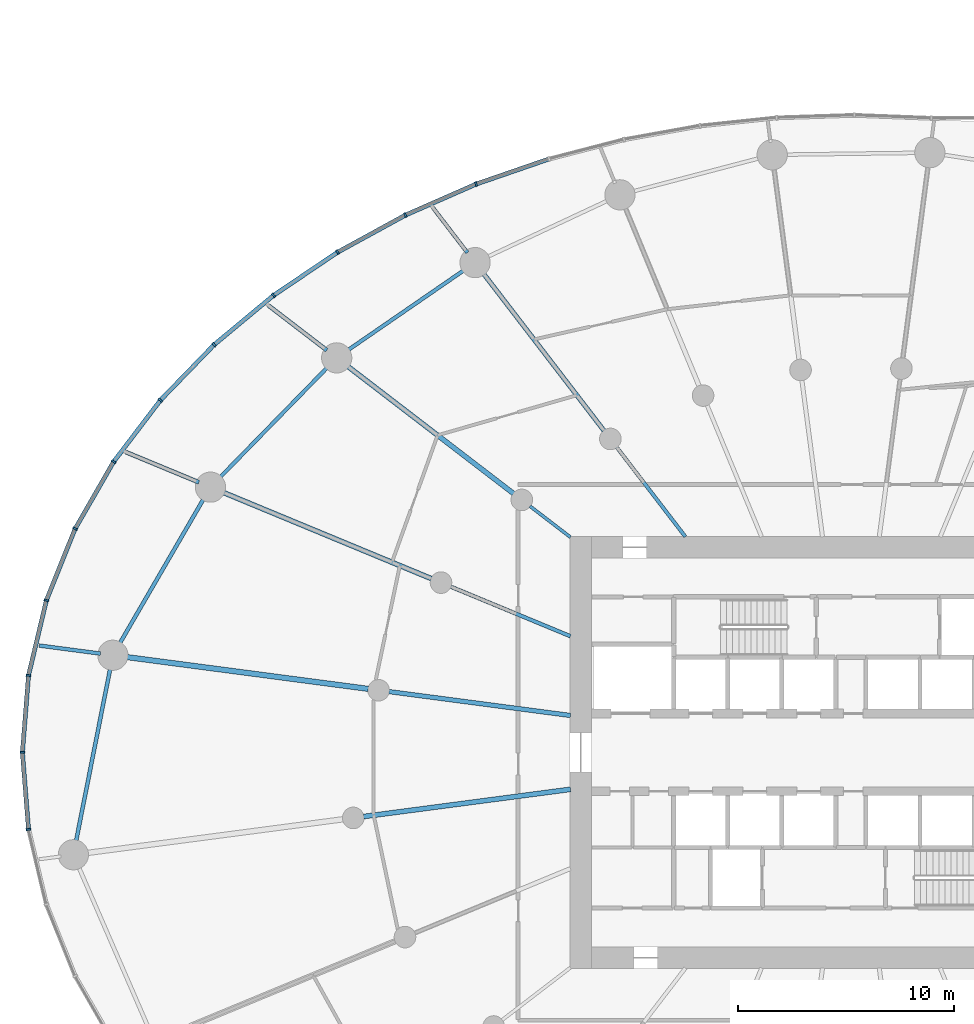
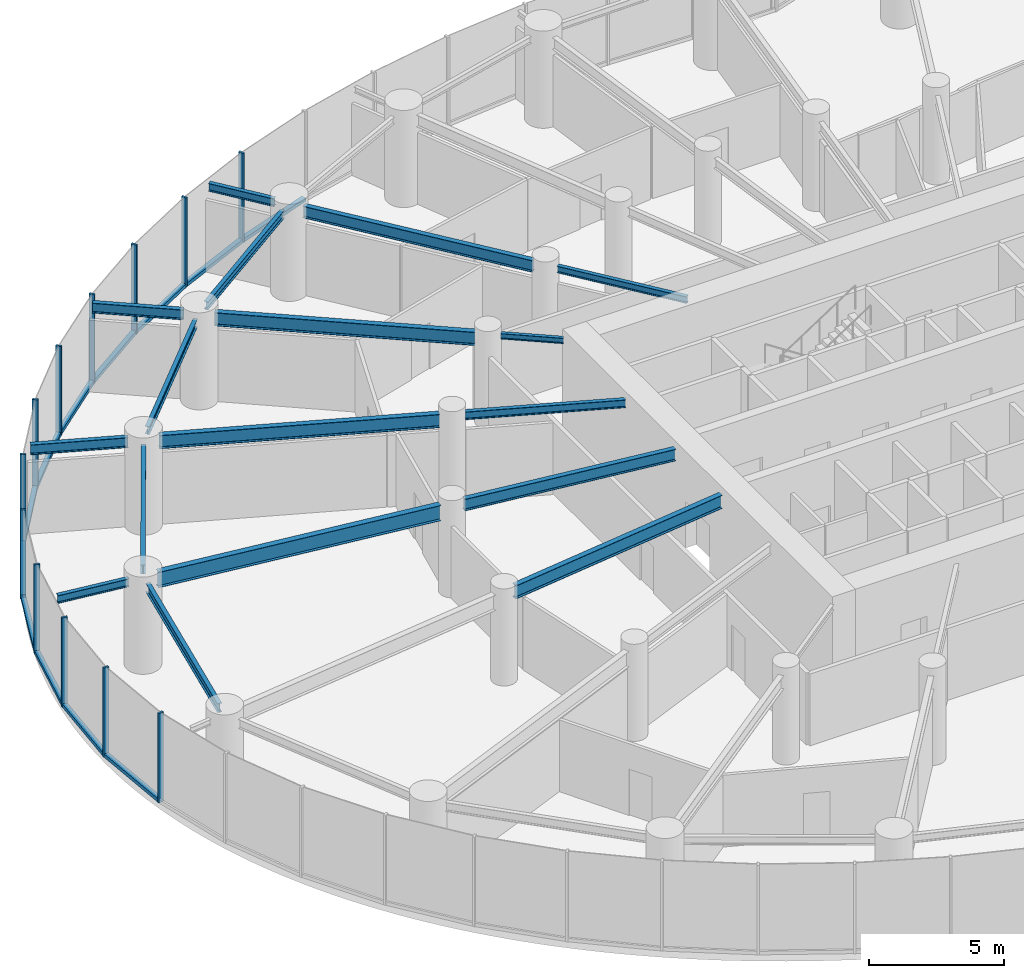
# One storey, part 4 of 24: 24 members, 17 beams, 3 elements without a shape of their own.
"""IFC4 building model written with IfcOpenShell, lengths in metres."""

from ifc_helpers import new_model, si_unit, direction, frame, origin, origin_2d, place, context, subcontext, project, spatial, rectangle, i_section, extrude, source, transform, mapped, material, layer, layer_set, material_profile, profile_set, type_object, element, aggregate, save


model = new_model("IFC4")

# Units and contexts
model_context = context("Model", 3, precision=1e-05, world=origin(), true_north=direction((0.0, 1.0)))
body_context = subcontext(model_context, "Body", "Model", "MODEL_VIEW")
ifc_project = project(units=[si_unit("LENGTHUNIT", "METRE"), si_unit("AREAUNIT", "SQUARE_METRE"), si_unit("VOLUMEUNIT", "CUBIC_METRE"), si_unit("PLANEANGLEUNIT", "RADIAN"), si_unit("MASSUNIT", "GRAM", prefix="KILO")], contexts=[model_context])

# Site, building, storey
site_placement = place(None, origin())
site = spatial("IfcSite", under=ifc_project, at=site_placement, CompositionType="ELEMENT")
building_placement = place(site_placement, origin())
building = spatial("IfcBuilding", under=site, at=building_placement, Name="Spindrift Exchange Tower", CompositionType="ELEMENT")
storey_placement = place(building_placement, frame((0.0, 0.0, 5.0)))
storey = spatial("IfcBuildingStorey", under=building, at=storey_placement, Name="L01", CompositionType="ELEMENT", Elevation=5.0)

# Beams
ifc_material_1 = material(Name="Steel Grade 300", Category="steel")
ifc_material_profile_1 = material_profile(ifc_material_1, i_section(OverallWidth=0.22802734375, OverallDepth=0.60693359375, WebThickness=0.01123046875, FlangeThickness=0.017333984375, FilletRadius=0.013916015625, at=origin_2d()), Name="610UB113")
ifc_profile_set_1 = profile_set([ifc_material_profile_1], Name="Steel Grade 300")
beam_type_1 = type_object("IfcBeamType", Name="Floor Beam 610UB113 Steel Grade 300", PredefinedType="BEAM", material=ifc_profile_set_1)
shared_shape_1 = source(origin(), body_context, "Body", "SweptSolid", [
    extrude(i_section(OverallWidth=0.22802734375, OverallDepth=0.60693359375, WebThickness=0.01123046875, FlangeThickness=0.017333984375, FilletRadius=0.013916015625, at=origin_2d()), origin(), (0.0, 0.0, 1.0), 9.660400390625),
])
beam_1_placement = place(storey_placement, frame((39.019775390625, 46.291015625, 3.74658203125), z_axis=(-0.99144767089, -0.130504850054, 0.0), x_axis=(0.130504850054, -0.99144767089, 0.0)))
element("IfcBeam", 1, at=beam_1_placement, inside=storey, type_object=beam_type_1, Name="L01 radial beam R13A", PredefinedType="BEAM", context=body_context, shape_type="MappedRepresentation", body=[
    mapped(shared_shape_1, transform((0.0, 0.0, 0.0), scale=1.0)),
])
ifc_material_profile_2 = material_profile(ifc_material_1, i_section(OverallWidth=0.1650390625, OverallDepth=0.303955078125, WebThickness=0.006103515625, FlangeThickness=0.01025390625, FilletRadius=0.011474609375, at=origin_2d()), Name="310UB40.4")
ifc_profile_set_2 = profile_set([ifc_material_profile_2], Name="Steel Grade 300")
beam_type_2 = type_object("IfcBeamType", Name="Floor Beam 310UB40.4 Steel Grade 300", PredefinedType="BEAM", material=ifc_profile_set_2)
shared_shape_2 = source(origin(), body_context, "Body", "SweptSolid", [
    extrude(i_section(OverallWidth=0.1650390625, OverallDepth=0.303955078125, WebThickness=0.006103515625, FlangeThickness=0.01025390625, FilletRadius=0.011474609375, at=origin_2d()), origin(), (0.0, 0.0, 1.0), 5.224609375),
])
beam_2_placement = place(storey_placement, frame((44.3388671875, 57.984130859375, 3.89794921875), z_axis=(-0.608741499316, 0.793368632485, 0.0), x_axis=(-0.793368632485, -0.608741499316, 0.0)))
element("IfcBeam", 2, at=beam_2_placement, inside=storey, type_object=beam_type_2, Name="L01 radial beam R09A", PredefinedType="BEAM", context=body_context, shape_type="MappedRepresentation", body=[
    mapped(shared_shape_2, transform((0.0, 0.0, 0.0), scale=1.0)),
])
ifc_material_profile_3 = material_profile(ifc_material_1, i_section(OverallWidth=0.208984375, OverallDepth=0.532958984375, WebThickness=0.01025390625, FlangeThickness=0.015625, FilletRadius=0.013916015625, at=origin_2d()), Name="530UB92.4")
ifc_profile_set_3 = profile_set([ifc_material_profile_3], Name="Steel Grade 300")
beam_type_3 = type_object("IfcBeamType", Name="Floor Beam 530UB92.4 Steel Grade 300", PredefinedType="BEAM", material=ifc_profile_set_3)
shared_shape_3 = source(origin(), body_context, "Body", "SweptSolid", [
    extrude(i_section(OverallWidth=0.208984375, OverallDepth=0.532958984375, WebThickness=0.01025390625, FlangeThickness=0.015625, FilletRadius=0.013916015625, at=origin_2d()), origin(), (0.0, 0.0, 1.0), 9.227783203125),
])
beam_3_placement = place(storey_placement, frame((40.573974609375, 62.890625, 3.783447265625), z_axis=(-0.608747534474, 0.79336400175, 0.0), x_axis=(-0.79336400175, -0.608747534474, 0.0)))
element("IfcBeam", 3, at=beam_3_placement, inside=storey, type_object=beam_type_3, Name="L01 radial beam R09B", PredefinedType="BEAM", context=body_context, shape_type="MappedRepresentation", body=[
    mapped(shared_shape_3, transform((0.0, 0.0, 0.0), scale=1.0)),
])
ifc_material_profile_4 = material_profile(ifc_material_1, i_section(OverallWidth=0.172119140625, OverallDepth=0.35888671875, WebThickness=0.008056640625, FlangeThickness=0.012939453125, FilletRadius=0.013916015625, at=origin_2d()), Name="360UB56.7")
ifc_profile_set_4 = profile_set([ifc_material_profile_4], Name="Steel Grade 300")
beam_type_4 = type_object("IfcBeamType", Name="Cantilever Beam 360UB56.7 Steel Grade 300", PredefinedType="BEAM", material=ifc_profile_set_4)
shared_shape_4 = source(origin(), body_context, "Body", "SweptSolid", [
    extrude(i_section(OverallWidth=0.172119140625, OverallDepth=0.35888671875, WebThickness=0.008056640625, FlangeThickness=0.012939453125, FilletRadius=0.013916015625, at=origin_2d()), origin(), (0.0, 0.0, 1.0), 2.63427734375),
])
beam_4_placement = place(storey_placement, frame((34.250244140625, 71.1318359375, 3.87060546875), z_axis=(-0.608801151582, 0.793322858509, 0.0), x_axis=(-0.793322858509, -0.608801151582, 0.0)))
element("IfcBeam", 4, at=beam_4_placement, inside=storey, type_object=beam_type_4, Name="L01 cantilever beam R09T", PredefinedType="BEAM", context=body_context, shape_type="MappedRepresentation", body=[
    mapped(shared_shape_4, transform((0.0, 0.0, 0.0), scale=1.0)),
])
ifc_material_profile_5 = material_profile(ifc_material_1, i_section(OverallWidth=0.14599609375, OverallDepth=0.251953125, WebThickness=0.006103515625, FlangeThickness=0.008544921875, FilletRadius=0.011962890625, at=origin_2d()), Name="250UB31.4")
ifc_profile_set_5 = profile_set([ifc_material_profile_5], Name="Steel Grade 300")
beam_type_5 = type_object("IfcBeamType", Name="Floor Beam 250UB31.4 Steel Grade 300", PredefinedType="BEAM", material=ifc_profile_set_5)
shared_shape_5 = source(origin(), body_context, "Body", "SweptSolid", [
    extrude(i_section(OverallWidth=0.14599609375, OverallDepth=0.251953125, WebThickness=0.006103515625, FlangeThickness=0.008544921875, FilletRadius=0.011962890625, at=origin_2d()), origin(), (0.0, 0.0, 1.0), 2.353759765625),
])
beam_5_placement = place(storey_placement, frame((39.015869140625, 57.963134765625, 3.924072265625), z_axis=(-0.793367573265, 0.608742879787, 0.0), x_axis=(-0.608742879787, -0.793367573265, 0.0)))
element("IfcBeam", 5, at=beam_5_placement, inside=storey, type_object=beam_type_5, Name="L01 radial beam R10A", PredefinedType="BEAM", context=body_context, shape_type="MappedRepresentation", body=[
    mapped(shared_shape_5, transform((0.0, 0.0, 0.0), scale=1.0)),
])
shared_shape_6 = source(origin(), body_context, "Body", "SweptSolid", [
    extrude(i_section(OverallWidth=0.22802734375, OverallDepth=0.60693359375, WebThickness=0.01123046875, FlangeThickness=0.017333984375, FilletRadius=0.013916015625, at=origin_2d()), origin(), (0.0, 0.0, 1.0), 9.73974609375),
])
beam_6_placement = place(storey_placement, frame((36.38671875, 59.98046875, 3.74658203125), z_axis=(-0.793352119621, 0.608763019814, 0.0), x_axis=(-0.608763019814, -0.793352119621, 0.0)))
element("IfcBeam", 6, at=beam_6_placement, inside=storey, type_object=beam_type_1, Name="L01 radial beam R10B", PredefinedType="BEAM", context=body_context, shape_type="MappedRepresentation", body=[
    mapped(shared_shape_6, transform((0.0, 0.0, 0.0), scale=1.0)),
])
ifc_material_profile_6 = material_profile(ifc_material_1, i_section(OverallWidth=0.18994140625, OverallDepth=0.45703125, WebThickness=0.009033203125, FlangeThickness=0.014404296875, FilletRadius=0.013916015625, at=origin_2d()), Name="460UB74.6")
ifc_profile_set_6 = profile_set([ifc_material_profile_6], Name="Steel Grade 300")
beam_type_6 = type_object("IfcBeamType", Name="Cantilever Beam 460UB74.6 Steel Grade 300", PredefinedType="BEAM", material=ifc_profile_set_6)
shared_shape_7 = source(origin(), body_context, "Body", "SweptSolid", [
    extrude(i_section(OverallWidth=0.18994140625, OverallDepth=0.45703125, WebThickness=0.009033203125, FlangeThickness=0.014404296875, FilletRadius=0.013916015625, at=origin_2d()), origin(), (0.0, 0.0, 1.0), 3.412353515625),
])
beam_7_placement = place(storey_placement, frame((27.7392578125, 66.615966796875, 3.821533203125), z_axis=(-0.793349503844, 0.608766428732, 0.0), x_axis=(-0.608766428732, -0.793349503844, 0.0)))
element("IfcBeam", 7, at=beam_7_placement, inside=storey, type_object=beam_type_6, Name="L01 cantilever beam R10T", PredefinedType="BEAM", context=body_context, shape_type="MappedRepresentation", body=[
    mapped(shared_shape_7, transform((0.0, 0.0, 0.0), scale=1.0)),
])
ifc_material_profile_7 = material_profile(ifc_material_1, i_section(OverallWidth=0.172119140625, OverallDepth=0.35888671875, WebThickness=0.008056640625, FlangeThickness=0.012939453125, FilletRadius=0.013916015625, at=origin_2d()), Name="360UB56.7")
ifc_profile_set_7 = profile_set([ifc_material_profile_7], Name="Steel Grade 300")
beam_type_7 = type_object("IfcBeamType", Name="Floor Beam 360UB56.7 Steel Grade 300", PredefinedType="BEAM", material=ifc_profile_set_7)
shared_shape_8 = source(origin(), body_context, "Body", "SweptSolid", [
    extrude(i_section(OverallWidth=0.172119140625, OverallDepth=0.35888671875, WebThickness=0.008056640625, FlangeThickness=0.012939453125, FilletRadius=0.013916015625, at=origin_2d()), origin(), (0.0, 0.0, 1.0), 6.004638671875),
])
beam_8_placement = place(storey_placement, frame((39.0185546875, 53.377197265625, 3.87060546875), z_axis=(-0.923882044911, 0.38267736684, 0.0), x_axis=(-0.38267736684, -0.923882044911, 0.0)))
element("IfcBeam", 8, at=beam_8_placement, inside=storey, type_object=beam_type_7, Name="L01 radial beam R11A", PredefinedType="BEAM", context=body_context, shape_type="MappedRepresentation", body=[
    mapped(shared_shape_8, transform((0.0, 0.0, 0.0), scale=1.0)),
])
shared_shape_9 = source(origin(), body_context, "Body", "SweptSolid", [
    extrude(i_section(OverallWidth=0.22802734375, OverallDepth=0.60693359375, WebThickness=0.01123046875, FlangeThickness=0.017333984375, FilletRadius=0.013916015625, at=origin_2d()), origin(), (0.0, 0.0, 1.0), 10.4912109375),
])
beam_9_placement = place(storey_placement, frame((32.583984375, 56.04248046875, 3.74658203125), z_axis=(-0.923885231151, 0.382669674342, 0.0), x_axis=(-0.382669674342, -0.923885231151, 0.0)))
element("IfcBeam", 9, at=beam_9_placement, inside=storey, type_object=beam_type_1, Name="L01 radial beam R11B", PredefinedType="BEAM", context=body_context, shape_type="MappedRepresentation", body=[
    mapped(shared_shape_9, transform((0.0, 0.0, 0.0), scale=1.0)),
])
shared_shape_10 = source(origin(), body_context, "Body", "SweptSolid", [
    extrude(i_section(OverallWidth=0.18994140625, OverallDepth=0.45703125, WebThickness=0.009033203125, FlangeThickness=0.014404296875, FilletRadius=0.013916015625, at=origin_2d()), origin(), (0.0, 0.0, 1.0), 3.6494140625),
])
beam_10_placement = place(storey_placement, frame((21.819580078125, 60.501220703125, 3.821533203125), z_axis=(-0.923886374991, 0.382666912741, 0.0), x_axis=(-0.382666912741, -0.923886374991, 0.0)))
element("IfcBeam", 10, at=beam_10_placement, inside=storey, type_object=beam_type_6, Name="L01 cantilever beam R11T", PredefinedType="BEAM", context=body_context, shape_type="MappedRepresentation", body=[
    mapped(shared_shape_10, transform((0.0, 0.0, 0.0), scale=1.0)),
])
shared_shape_11 = source(origin(), body_context, "Body", "SweptSolid", [
    extrude(i_section(OverallWidth=0.208984375, OverallDepth=0.532958984375, WebThickness=0.01025390625, FlangeThickness=0.015625, FilletRadius=0.013916015625, at=origin_2d()), origin(), (0.0, 0.0, 1.0), 8.4794921875),
])
beam_11_placement = place(storey_placement, frame((39.019775390625, 49.708984375, 3.783447265625), z_axis=(-0.991446551951, 0.13051335037, 0.0), x_axis=(-0.13051335037, -0.991446551951, 0.0)))
element("IfcBeam", 11, at=beam_11_placement, inside=storey, type_object=beam_type_3, Name="L01 radial beam R12A", PredefinedType="BEAM", context=body_context, shape_type="MappedRepresentation", body=[
    mapped(shared_shape_11, transform((0.0, 0.0, 0.0), scale=1.0)),
])
ifc_material_profile_8 = material_profile(ifc_material_1, i_section(OverallWidth=0.25, OverallDepth=0.699951171875, WebThickness=0.008056640625, FlangeThickness=0.011962890625, at=origin_2d()), Name="700WB115")
ifc_profile_set_8 = profile_set([ifc_material_profile_8], Name="Steel Grade 300")
beam_type_8 = type_object("IfcBeamType", Name="Floor Beam 700WB115 Steel Grade 300", PredefinedType="BEAM", material=ifc_profile_set_8)
shared_shape_12 = source(origin(), body_context, "Body", "SweptSolid", [
    extrude(i_section(OverallWidth=0.25, OverallDepth=0.699951171875, WebThickness=0.008056640625, FlangeThickness=0.011962890625, at=origin_2d()), origin(), (0.0, 0.0, 1.0), 11.34423828125),
])
beam_12_placement = place(storey_placement, frame((29.660888671875, 50.94091796875, 3.699951171875), z_axis=(-0.991444770187, 0.130526884848, 0.0), x_axis=(-0.130526884848, -0.991444770187, 0.0)))
element("IfcBeam", 12, at=beam_12_placement, inside=storey, type_object=beam_type_8, Name="L01 radial beam R12B", PredefinedType="BEAM", context=body_context, shape_type="MappedRepresentation", body=[
    mapped(shared_shape_12, transform((0.0, 0.0, 0.0), scale=1.0)),
])
shared_shape_13 = source(origin(), body_context, "Body", "SweptSolid", [
    extrude(i_section(OverallWidth=0.172119140625, OverallDepth=0.35888671875, WebThickness=0.008056640625, FlangeThickness=0.012939453125, FilletRadius=0.013916015625, at=origin_2d()), origin(), (0.0, 0.0, 1.0), 2.8583984375),
])
beam_13_placement = place(storey_placement, frame((17.263916015625, 52.572998046875, 3.87060546875), z_axis=(-0.991436262241, 0.130591492502, 0.0), x_axis=(-0.130591492502, -0.991436262241, 0.0)))
element("IfcBeam", 13, at=beam_13_placement, inside=storey, type_object=beam_type_4, Name="L01 cantilever beam R12T", PredefinedType="BEAM", context=body_context, shape_type="MappedRepresentation", body=[
    mapped(shared_shape_13, transform((0.0, 0.0, 0.0), scale=1.0)),
])
ifc_material_profile_9 = material_profile(ifc_material_1, i_section(OverallWidth=0.172119140625, OverallDepth=0.35888671875, WebThickness=0.008056640625, FlangeThickness=0.012939453125, FilletRadius=0.013916015625, at=origin_2d()), Name="360UB56.7")
ifc_profile_set_9 = profile_set([ifc_material_profile_9], Name="Steel Grade 300")
beam_type_9 = type_object("IfcBeamType", Name="Edge Beam 360UB56.7 Steel Grade 300", PredefinedType="SPANDREL", material=ifc_profile_set_9)
shared_shape_14 = source(origin(), body_context, "Body", "SweptSolid", [
    extrude(i_section(OverallWidth=0.172119140625, OverallDepth=0.35888671875, WebThickness=0.008056640625, FlangeThickness=0.012939453125, FilletRadius=0.013916015625, at=origin_2d()), origin(), (0.0, 0.0, 1.0), 6.614990234375),
])
beam_14_placement = place(storey_placement, frame((34.125732421875, 70.3427734375, 3.87060546875), z_axis=(-0.823690708835, -0.567039342708, 0.0), x_axis=(0.567039342708, -0.823690708835, 0.0)))
element("IfcBeam", 14, at=beam_14_placement, inside=storey, type_object=beam_type_9, Name="L01 edge beam E09", PredefinedType="SPANDREL", context=body_context, shape_type="MappedRepresentation", body=[
    mapped(shared_shape_14, transform((0.0, 0.0, 0.0), scale=1.0)),
])
shared_shape_15 = source(origin(), body_context, "Body", "SweptSolid", [
    extrude(i_section(OverallWidth=0.172119140625, OverallDepth=0.35888671875, WebThickness=0.008056640625, FlangeThickness=0.012939453125, FilletRadius=0.013916015625, at=origin_2d()), origin(), (0.0, 0.0, 1.0), 7.2041015625),
])
beam_15_placement = place(storey_placement, frame((27.794189453125, 65.847900390625, 3.87060546875), z_axis=(-0.698703626006, -0.715411240481, 0.0), x_axis=(0.715411240481, -0.698703626006, 0.0)))
element("IfcBeam", 15, at=beam_15_placement, inside=storey, type_object=beam_type_9, Name="L01 edge beam E10", PredefinedType="SPANDREL", context=body_context, shape_type="MappedRepresentation", body=[
    mapped(shared_shape_15, transform((0.0, 0.0, 0.0), scale=1.0)),
])
ifc_material_profile_10 = material_profile(ifc_material_1, i_section(OverallWidth=0.177978515625, OverallDepth=0.406005859375, WebThickness=0.0078125, FlangeThickness=0.0126953125, FilletRadius=0.013916015625, at=origin_2d()), Name="410UB59.7")
ifc_profile_set_10 = profile_set([ifc_material_profile_10], Name="Steel Grade 300")
beam_type_10 = type_object("IfcBeamType", Name="Edge Beam 410UB59.7 Steel Grade 300", PredefinedType="SPANDREL", material=ifc_profile_set_10)
shared_shape_16 = source(origin(), body_context, "Body", "SweptSolid", [
    extrude(i_section(OverallWidth=0.177978515625, OverallDepth=0.406005859375, WebThickness=0.0078125, FlangeThickness=0.0126953125, FilletRadius=0.013916015625, at=origin_2d()), origin(), (0.0, 0.0, 1.0), 7.837646484375),
])
beam_16_placement = place(storey_placement, frame((22.064208984375, 59.777587890625, 3.846923828125), z_axis=(-0.50198145655, -0.864878382942, 0.0), x_axis=(0.864878382942, -0.50198145655, 0.0)))
element("IfcBeam", 16, at=beam_16_placement, inside=storey, type_object=beam_type_10, Name="L01 edge beam E11", PredefinedType="SPANDREL", context=body_context, shape_type="MappedRepresentation", body=[
    mapped(shared_shape_16, transform((0.0, 0.0, 0.0), scale=1.0)),
])
shared_shape_17 = source(origin(), body_context, "Body", "SweptSolid", [
    extrude(i_section(OverallWidth=0.177978515625, OverallDepth=0.406005859375, WebThickness=0.0078125, FlangeThickness=0.0126953125, FilletRadius=0.013916015625, at=origin_2d()), origin(), (0.0, 0.0, 1.0), 8.2548828125),
])
beam_17_placement = place(storey_placement, frame((17.72607421875, 51.928466796875, 3.846923828125), z_axis=(-0.194278723288, -0.9809463684, 0.0), x_axis=(0.9809463684, -0.194278723288, 0.0)))
element("IfcBeam", 17, at=beam_17_placement, inside=storey, type_object=beam_type_10, Name="L01 edge beam E12", PredefinedType="SPANDREL", context=body_context, shape_type="MappedRepresentation", body=[
    mapped(shared_shape_17, transform((0.0, 0.0, 0.0), scale=1.0)),
])

# Curtain wall, members
ifc_material_2 = material(Name="Fritted laminated glass with bronze frame", Category="glass")
ifc_layer = layer(ifc_material_2, 0.219970703125)
ifc_layer_set = layer_set([ifc_layer], Name="PODIUM BRONZE GLAZED WALL")
curtain_wall_type = type_object("IfcCurtainWallType", Name="PODIUM BRONZE GLAZED WALL", PredefinedType="NOTDEFINED", material=ifc_layer_set)
curtain_wall_1_placement = place(storey_placement, origin())
curtain_wall_1 = element("IfcCurtainWall", 18, at=curtain_wall_1_placement, inside=storey, type_object=curtain_wall_type, Name="L01 Podium Bronze Glazed Wall run 5", PredefinedType="NOTDEFINED")
ifc_material_3 = material(Name="Bronze anodised aluminium", Category="aluminium")
ifc_material_profile_11 = material_profile(ifc_material_3, rectangle(XDim=0.090087890625, YDim=0.219970703125, at=origin_2d()), Name="PODIUM BRONZE GLAZED WALL MULLION 90X220")
ifc_profile_set_11 = profile_set([ifc_material_profile_11], Name="Bronze anodised aluminium")
member_type_1 = type_object("IfcMemberType", Name="PODIUM BRONZE GLAZED WALL MULLION 90X220", PredefinedType="MULLION", material=ifc_profile_set_11)
shared_shape_18 = source(origin(), body_context, "Body", "SweptSolid", [
    extrude(rectangle(XDim=0.090087890625, YDim=0.219970703125, at=origin_2d()), origin(), (0.0, 0.0, 1.0), 4.050048828125),
])
member_1_placement = place(storey_placement, frame((34.65234375, 74.308349609375, 0.0), z_axis=(0.0, 0.0, 1.0), x_axis=(-0.931300284622, -0.364252357389, 0.0)))
member_1 = element("IfcMember", 19, at=member_1_placement, type_object=member_type_1, Name="L01 mullion CW-P.27", PredefinedType="MULLION", context=body_context, shape_type="MappedRepresentation", body=[
    mapped(shared_shape_18, transform((0.0, 0.0, 0.0), scale=1.0)),
])
member_2_placement = place(storey_placement, frame((31.377685546875, 72.87060546875, 0.0), z_axis=(0.0, 0.0, 1.0), x_axis=(-0.897365732399, -0.441287595923, 0.0)))
member_2 = element("IfcMember", 20, at=member_2_placement, type_object=member_type_1, Name="L01 mullion CW-P.28", PredefinedType="MULLION", context=body_context, shape_type="MappedRepresentation", body=[
    mapped(shared_shape_18, transform((0.0, 0.0, 0.0), scale=1.0)),
])
member_3_placement = place(storey_placement, frame((28.23974609375, 71.15478515625, 0.0), z_axis=(0.0, 0.0, 1.0), x_axis=(-0.854176032807, -0.519983946846, 0.0)))
member_3 = element("IfcMember", 21, at=member_3_placement, type_object=member_type_1, Name="L01 mullion CW-P.29", PredefinedType="MULLION", context=body_context, shape_type="MappedRepresentation", body=[
    mapped(shared_shape_18, transform((0.0, 0.0, 0.0), scale=1.0)),
])
member_4_placement = place(storey_placement, frame((25.27490234375, 69.155517578125, 0.0), z_axis=(0.0, 0.0, 1.0), x_axis=(-0.800124993893, -0.5998333053, 0.0)))
member_4 = element("IfcMember", 22, at=member_4_placement, type_object=member_type_1, Name="L01 mullion CW-P.30", PredefinedType="MULLION", context=body_context, shape_type="MappedRepresentation", body=[
    mapped(shared_shape_18, transform((0.0, 0.0, 0.0), scale=1.0)),
])

curtain_wall_2_placement = place(storey_placement, origin())
curtain_wall_2 = element("IfcCurtainWall", 23, at=curtain_wall_2_placement, inside=storey, type_object=curtain_wall_type, Name="L01 Podium Bronze Glazed Wall run 6", PredefinedType="NOTDEFINED")
member_5_placement = place(storey_placement, frame((22.5244140625, 66.870361328125, 0.0), z_axis=(0.0, 0.0, 1.0), x_axis=(-0.733433886036, -0.679760792348, 0.0)))
member_5 = element("IfcMember", 24, at=member_5_placement, type_object=member_type_1, Name="L01 mullion CW-P.31", PredefinedType="MULLION", context=body_context, shape_type="MappedRepresentation", body=[
    mapped(shared_shape_18, transform((0.0, 0.0, 0.0), scale=1.0)),
])
member_6_placement = place(storey_placement, frame((20.037353515625, 64.301513671875, 0.0), z_axis=(0.0, 0.0, 1.0), x_axis=(-0.65153771511, -0.758616244084, 0.0)))
member_6 = element("IfcMember", 25, at=member_6_placement, type_object=member_type_1, Name="L01 mullion CW-P.32", PredefinedType="MULLION", context=body_context, shape_type="MappedRepresentation", body=[
    mapped(shared_shape_18, transform((0.0, 0.0, 0.0), scale=1.0)),
])
member_7_placement = place(storey_placement, frame((17.873779296875, 61.455322265625, 0.0), z_axis=(0.0, 0.0, 1.0), x_axis=(-0.552978572036, -0.833195474585, 0.0)))
member_7 = element("IfcMember", 26, at=member_7_placement, type_object=member_type_1, Name="L01 mullion CW-P.33", PredefinedType="MULLION", context=body_context, shape_type="MappedRepresentation", body=[
    mapped(shared_shape_18, transform((0.0, 0.0, 0.0), scale=1.0)),
])
member_8_placement = place(storey_placement, frame((16.091796875, 58.3564453125, 0.0), z_axis=(0.0, 0.0, 1.0), x_axis=(-0.436633431388, -0.899639509245, 0.0)))
member_8 = element("IfcMember", 27, at=member_8_placement, type_object=member_type_1, Name="L01 mullion CW-P.34", PredefinedType="MULLION", context=body_context, shape_type="MappedRepresentation", body=[
    mapped(shared_shape_18, transform((0.0, 0.0, 0.0), scale=1.0)),
])
member_9_placement = place(storey_placement, frame((14.760009765625, 55.03955078125, 0.0), z_axis=(0.0, 0.0, 1.0), x_axis=(-0.302835035371, -0.953042990296, 0.0)))
member_9 = element("IfcMember", 28, at=member_9_placement, type_object=member_type_1, Name="L01 mullion CW-P.35", PredefinedType="MULLION", context=body_context, shape_type="MappedRepresentation", body=[
    mapped(shared_shape_18, transform((0.0, 0.0, 0.0), scale=1.0)),
])
member_10_placement = place(storey_placement, frame((13.932861328125, 51.5625, 0.0), z_axis=(0.0, 0.0, 1.0), x_axis=(-0.155742601712, -0.987797672609, 0.0)))
member_10 = element("IfcMember", 29, at=member_10_placement, type_object=member_type_1, Name="L01 mullion CW-P.36", PredefinedType="MULLION", context=body_context, shape_type="MappedRepresentation", body=[
    mapped(shared_shape_18, transform((0.0, 0.0, 0.0), scale=1.0)),
])

curtain_wall_3_placement = place(storey_placement, origin())
curtain_wall_3 = element("IfcCurtainWall", 30, at=curtain_wall_3_placement, inside=storey, type_object=curtain_wall_type, Name="L01 Podium Bronze Glazed Wall run 7", PredefinedType="NOTDEFINED")
member_11_placement = place(storey_placement, frame((13.64990234375, 48.0, 0.0), z_axis=(0.0, 0.0, 1.0), x_axis=(0.0, -1.0, 0.0)))
member_11 = element("IfcMember", 31, at=member_11_placement, type_object=member_type_1, Name="L01 mullion CW-P.37", PredefinedType="MULLION", context=body_context, shape_type="MappedRepresentation", body=[
    mapped(shared_shape_18, transform((0.0, 0.0, 0.0), scale=1.0)),
])
member_12_placement = place(storey_placement, frame((13.932861328125, 44.4375, 0.0), z_axis=(0.0, 0.0, 1.0), x_axis=(0.155742601712, -0.987797672609, 0.0)))
member_12 = element("IfcMember", 32, at=member_12_placement, type_object=member_type_1, Name="L01 mullion CW-P.38", PredefinedType="MULLION", context=body_context, shape_type="MappedRepresentation", body=[
    mapped(shared_shape_18, transform((0.0, 0.0, 0.0), scale=1.0)),
])

# Member
ifc_material_profile_12 = material_profile(ifc_material_3, rectangle(XDim=0.199951171875, YDim=0.159912109375, at=origin_2d()), Name="PODIUM BRONZE GLAZED WALL TRANSOM 200X160")
ifc_profile_set_12 = profile_set([ifc_material_profile_12], Name="Bronze anodised aluminium")
member_type_2 = type_object("IfcMemberType", Name="PODIUM BRONZE GLAZED WALL TRANSOM 200X160", PredefinedType="USERDEFINED", material=ifc_profile_set_12)
shared_shape_19 = source(origin(), body_context, "Body", "SweptSolid", [
    extrude(rectangle(XDim=0.199951171875, YDim=0.159912109375, at=origin_2d()), origin(), (0.0, 0.0, 1.0), 3.486083984375),
])
member_13_placement = place(storey_placement, frame((28.202392578125, 71.129638671875, 0.080078125), z_axis=(-0.829118935983, -0.559072258295, 0.0), x_axis=(0.559072258295, -0.829118935983, 0.0)))
member_13 = element("IfcMember", 33, at=member_13_placement, type_object=member_type_2, Name="L01 transom CW-P.29", ObjectType="TRANSOM", PredefinedType="USERDEFINED", context=body_context, shape_type="MappedRepresentation", body=[
    mapped(shared_shape_19, transform((0.0, 0.0, 0.0), scale=1.0)),
])

shared_shape_20 = source(origin(), body_context, "Body", "SweptSolid", [
    extrude(rectangle(XDim=0.199951171875, YDim=0.159912109375, at=origin_2d()), origin(), (0.0, 0.0, 1.0), 3.48583984375),
])
member_14_placement = place(storey_placement, frame((25.240234375, 69.126953125, 0.080078125), z_axis=(-0.769138998167, -0.639081529618, 0.0), x_axis=(0.639081529618, -0.769138998167, 0.0)))
member_14 = element("IfcMember", 34, at=member_14_placement, type_object=member_type_2, Name="L01 transom CW-P.30", ObjectType="TRANSOM", PredefinedType="USERDEFINED", context=body_context, shape_type="MappedRepresentation", body=[
    mapped(shared_shape_20, transform((0.0, 0.0, 0.0), scale=1.0)),
])

shared_shape_21 = source(origin(), body_context, "Body", "SweptSolid", [
    extrude(rectangle(XDim=0.199951171875, YDim=0.159912109375, at=origin_2d()), origin(), (0.0, 0.0, 1.0), 3.486328125),
])
member_15_placement = place(storey_placement, frame((31.338134765625, 72.84912109375, 0.080078125), z_axis=(-0.877394630692, -0.479769384218, 0.0), x_axis=(0.479769384218, -0.877394630692, 0.0)))
member_15 = element("IfcMember", 35, at=member_15_placement, type_object=member_type_2, Name="L01 transom CW-P.28", ObjectType="TRANSOM", PredefinedType="USERDEFINED", context=body_context, shape_type="MappedRepresentation", body=[
    mapped(shared_shape_21, transform((0.0, 0.0, 0.0), scale=1.0)),
])

shared_shape_22 = source(origin(), body_context, "Body", "SweptSolid", [
    extrude(rectangle(XDim=0.199951171875, YDim=0.159912109375, at=origin_2d()), origin(), (0.0, 0.0, 1.0), 3.484619140625),
])
member_16_placement = place(storey_placement, frame((17.851318359375, 61.416259765625, 0.080078125), z_axis=(-0.49855141706, -0.866860129748, 0.0), x_axis=(0.866860129748, -0.49855141706, 0.0)))
member_16 = element("IfcMember", 36, at=member_16_placement, type_object=member_type_2, Name="L01 transom CW-P.33", ObjectType="TRANSOM", PredefinedType="USERDEFINED", context=body_context, shape_type="MappedRepresentation", body=[
    mapped(shared_shape_22, transform((0.0, 0.0, 0.0), scale=1.0)),
])

shared_shape_23 = source(origin(), body_context, "Body", "SweptSolid", [
    extrude(rectangle(XDim=0.199951171875, YDim=0.159912109375, at=origin_2d()), origin(), (0.0, 0.0, 1.0), 3.48388671875),
])
member_17_placement = place(storey_placement, frame((13.929443359375, 51.517822265625, 0.080078125), z_axis=(-0.07918815093, -0.996859687595, 0.0), x_axis=(0.996859687595, -0.07918815093, 0.0)))
member_17 = element("IfcMember", 37, at=member_17_placement, type_object=member_type_2, Name="L01 transom CW-P.36", ObjectType="TRANSOM", PredefinedType="USERDEFINED", context=body_context, shape_type="MappedRepresentation", body=[
    mapped(shared_shape_23, transform((0.0, 0.0, 0.0), scale=1.0)),
])

member_18_placement = place(storey_placement, frame((13.653564453125, 47.955078125, 0.080078125), z_axis=(0.07918815093, -0.996859687595, 0.0), x_axis=(0.996859687595, 0.07918815093, 0.0)))
member_18 = element("IfcMember", 38, at=member_18_placement, type_object=member_type_2, Name="L01 transom CW-P.37", ObjectType="TRANSOM", PredefinedType="USERDEFINED", context=body_context, shape_type="MappedRepresentation", body=[
    mapped(shared_shape_23, transform((0.0, 0.0, 0.0), scale=1.0)),
])

aggregate(curtain_wall_3, [member_11, member_18, member_12])

shared_shape_24 = source(origin(), body_context, "Body", "SweptSolid", [
    extrude(rectangle(XDim=0.199951171875, YDim=0.159912109375, at=origin_2d()), origin(), (0.0, 0.0, 1.0), 3.486572265625),
])
member_19_placement = place(storey_placement, frame((37.990966796875, 75.459228515625, 0.080078125), z_axis=(-0.945405719622, -0.325895727659, 0.0), x_axis=(0.325895727659, -0.945405719622, 0.0)))
member_19 = element("IfcMember", 39, at=member_19_placement, type_object=member_type_2, Name="L01 transom CW-P.26", ObjectType="TRANSOM", PredefinedType="USERDEFINED", context=body_context, shape_type="MappedRepresentation", body=[
    mapped(shared_shape_24, transform((0.0, 0.0, 0.0), scale=1.0)),
])

member_20_placement = place(storey_placement, frame((34.611083984375, 74.290283203125, 0.080078125), z_axis=(-0.915635857607, -0.402008676852, 0.0), x_axis=(0.402008676852, -0.915635857607, 0.0)))
member_20 = element("IfcMember", 40, at=member_20_placement, type_object=member_type_2, Name="L01 transom CW-P.27", ObjectType="TRANSOM", PredefinedType="USERDEFINED", context=body_context, shape_type="MappedRepresentation", body=[
    mapped(shared_shape_24, transform((0.0, 0.0, 0.0), scale=1.0)),
])

aggregate(curtain_wall_1, [member_19, member_1, member_20, member_2, member_15, member_3, member_13, member_4, member_14])

shared_shape_25 = source(origin(), body_context, "Body", "SweptSolid", [
    extrude(rectangle(XDim=0.199951171875, YDim=0.159912109375, at=origin_2d()), origin(), (0.0, 0.0, 1.0), 3.485595703125),
])
member_21_placement = place(storey_placement, frame((22.4931640625, 66.837890625, 0.080078125), z_axis=(-0.695597586919, -0.718431623102, 0.0), x_axis=(0.718431623102, -0.695597586919, 0.0)))
member_21 = element("IfcMember", 41, at=member_21_placement, type_object=member_type_2, Name="L01 transom CW-P.31", ObjectType="TRANSOM", PredefinedType="USERDEFINED", context=body_context, shape_type="MappedRepresentation", body=[
    mapped(shared_shape_25, transform((0.0, 0.0, 0.0), scale=1.0)),
])

shared_shape_26 = source(origin(), body_context, "Body", "SweptSolid", [
    extrude(rectangle(XDim=0.199951171875, YDim=0.159912109375, at=origin_2d()), origin(), (0.0, 0.0, 1.0), 3.485107421875),
])
member_22_placement = place(storey_placement, frame((20.01025390625, 64.265625, 0.080078125), z_axis=(-0.605188057634, -0.796082542766, 0.0), x_axis=(0.796082542766, -0.605188057634, 0.0)))
member_22 = element("IfcMember", 42, at=member_22_placement, type_object=member_type_2, Name="L01 transom CW-P.32", ObjectType="TRANSOM", PredefinedType="USERDEFINED", context=body_context, shape_type="MappedRepresentation", body=[
    mapped(shared_shape_26, transform((0.0, 0.0, 0.0), scale=1.0)),
])

shared_shape_27 = source(origin(), body_context, "Body", "SweptSolid", [
    extrude(rectangle(XDim=0.199951171875, YDim=0.159912109375, at=origin_2d()), origin(), (0.0, 0.0, 1.0), 3.484375),
])
member_23_placement = place(storey_placement, frame((16.074951171875, 58.314697265625, 0.080078125), z_axis=(-0.372622582796, -0.927982979796, 0.0), x_axis=(0.927982979796, -0.372622582796, 0.0)))
member_23 = element("IfcMember", 43, at=member_23_placement, type_object=member_type_2, Name="L01 transom CW-P.34", ObjectType="TRANSOM", PredefinedType="USERDEFINED", context=body_context, shape_type="MappedRepresentation", body=[
    mapped(shared_shape_27, transform((0.0, 0.0, 0.0), scale=1.0)),
])

shared_shape_28 = source(origin(), body_context, "Body", "SweptSolid", [
    extrude(rectangle(XDim=0.199951171875, YDim=0.159912109375, at=origin_2d()), origin(), (0.0, 0.0, 1.0), 3.483642578125),
])
member_24_placement = place(storey_placement, frame((14.74951171875, 54.99560546875, 0.080078125), z_axis=(-0.231405768581, -0.972857322667, 0.0), x_axis=(0.972857322667, -0.231405768581, 0.0)))
member_24 = element("IfcMember", 44, at=member_24_placement, type_object=member_type_2, Name="L01 transom CW-P.35", ObjectType="TRANSOM", PredefinedType="USERDEFINED", context=body_context, shape_type="MappedRepresentation", body=[
    mapped(shared_shape_28, transform((0.0, 0.0, 0.0), scale=1.0)),
])

aggregate(curtain_wall_2, [member_5, member_21, member_6, member_22, member_7, member_16, member_8, member_23, member_9, member_24, member_10, member_17])

save(model, "model.ifc")
